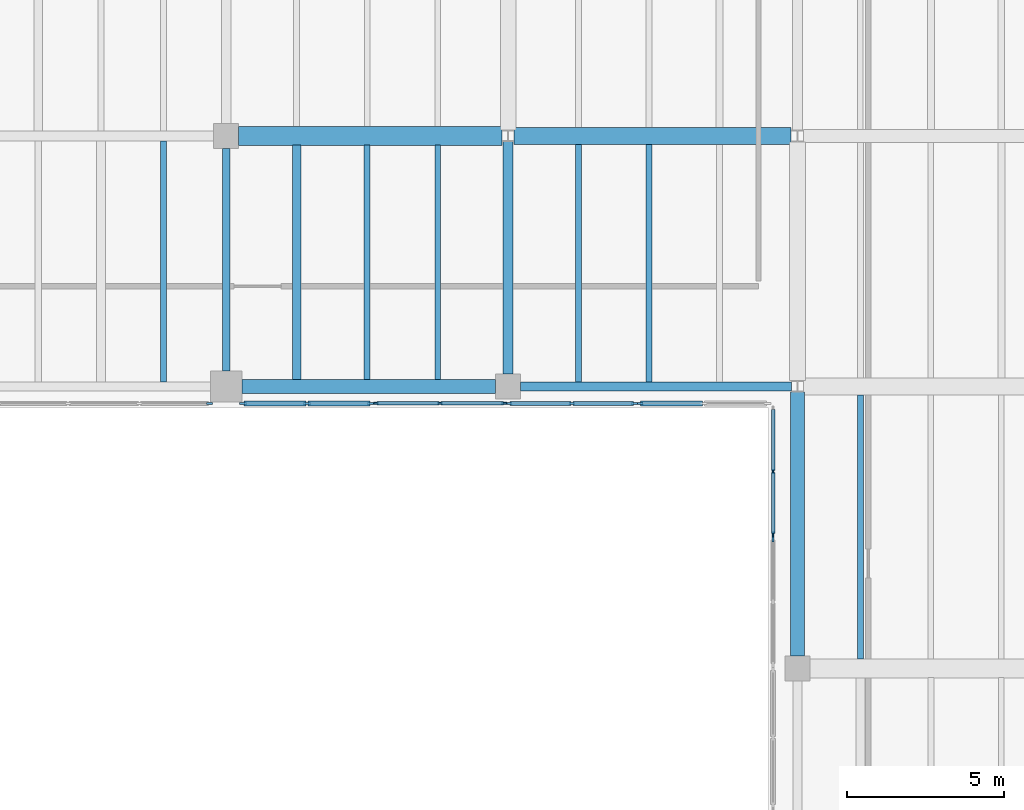
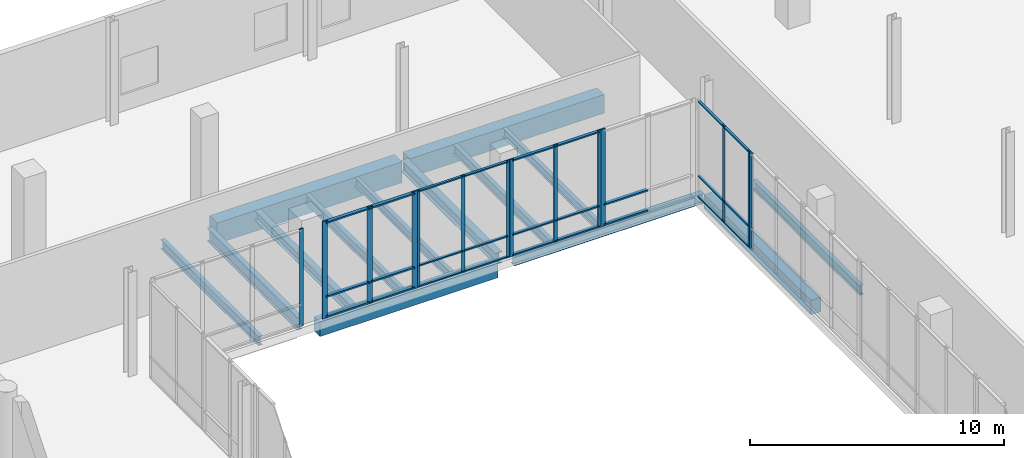
# One storey, part 57 of 88: 40 members, 14 beams, 7 elements without a shape of their own.
"""IFC4 building model written with IfcOpenShell, lengths in metres."""

from ifc_helpers import new_model, si_unit, direction, frame, origin, origin_2d, place, context, subcontext, project, spatial, rectangle, i_section, extrude, material, material_profile, profile_set, type_object, element, aggregate, save


model = new_model("IFC4")

# Units and contexts
model_context = context("Model", 3, precision=1e-05, world=origin(), true_north=direction((0.0, 1.0)))
body_context = subcontext(model_context, "Body", "Model", "MODEL_VIEW")
ifc_project = project(units=[si_unit("LENGTHUNIT", "METRE"), si_unit("AREAUNIT", "SQUARE_METRE"), si_unit("VOLUMEUNIT", "CUBIC_METRE"), si_unit("PLANEANGLEUNIT", "RADIAN"), si_unit("MASSUNIT", "GRAM", prefix="KILO")], contexts=[model_context])

# Site, building, storey
site_placement = place(None, origin())
site = spatial("IfcSite", under=ifc_project, at=site_placement, CompositionType="ELEMENT")
building_placement = place(site_placement, origin())
building = spatial("IfcBuilding", under=site, at=building_placement, Name="Trimount Lyric Opera House", CompositionType="ELEMENT")
storey_placement = place(building_placement, origin())
storey = spatial("IfcBuildingStorey", under=building, at=storey_placement, Name="L00", CompositionType="ELEMENT", Elevation=0.0)

# Beams
ifc_material_1 = material(Name="Steel ASTM A992 Grade 50", Category="steel")
ifc_material_profile_1 = material_profile(ifc_material_1, i_section(OverallWidth=0.22998046875, OverallDepth=0.616943359375, WebThickness=0.01318359375, FlangeThickness=0.022216796875, FilletRadius=0.013916015625, at=origin_2d()), Name="W24X94")
ifc_profile_set_1 = profile_set([ifc_material_profile_1], Name="Steel ASTM A992 Grade 50")
beam_type_1 = type_object("IfcBeamType", Name="B-11", PredefinedType="BEAM", material=ifc_profile_set_1)
beam_1_placement = place(storey_placement, frame((130.0, 102.5, -0.6884765625), z_axis=(0.0, 1.0, 0.0), x_axis=(-1.0, 0.0, 0.0)))
element("IfcBeam", 1, at=beam_1_placement, inside=storey, type_object=beam_type_1, Name="L00 girder Y-0402", PredefinedType="BEAM", context=body_context, shape_type="SweptSolid", body=[
    extrude(i_section(OverallWidth=0.22998046875, OverallDepth=0.616943359375, WebThickness=0.01318359375, FlangeThickness=0.022216796875, FilletRadius=0.013916015625, at=origin_2d()), origin(), (0.0, 0.0, 1.0), 7.10009765625),
])
ifc_material_2 = material(Name="Steel ASTM A992 Grade 50", Category="steel")
ifc_material_profile_2 = material_profile(ifc_material_2, i_section(OverallWidth=0.31201171875, OverallDepth=0.5458984375, WebThickness=0.013916015625, FlangeThickness=0.022216796875, FilletRadius=0.014892578125, at=origin_2d()), Name="W21X111")
ifc_profile_set_2 = profile_set([ifc_material_profile_2], Name="Steel ASTM A992 Grade 50")
beam_type_2 = type_object("IfcBeamType", Name="B-12", PredefinedType="BEAM", material=ifc_profile_set_2)
beam_2_placement = place(storey_placement, frame((139.0, 102.39990234375, -0.653076171875), z_axis=(0.0, 1.0, 0.0), x_axis=(-1.0, 0.0, 0.0)))
element("IfcBeam", 2, at=beam_2_placement, inside=storey, type_object=beam_type_2, Name="L00 girder Y-0412", PredefinedType="BEAM", context=body_context, shape_type="SweptSolid", body=[
    extrude(i_section(OverallWidth=0.31201171875, OverallDepth=0.5458984375, WebThickness=0.013916015625, FlangeThickness=0.022216796875, FilletRadius=0.014892578125, at=origin_2d()), origin(), (0.0, 0.0, 1.0), 7.416015625),
])
ifc_material_3 = material(Name="Concrete C40/50", Category="concrete")
ifc_material_profile_3 = material_profile(ifc_material_3, rectangle(XDim=0.60009765625, YDim=1.0, at=origin_2d()), Name="RC600X1000")
ifc_profile_set_3 = profile_set([ifc_material_profile_3], Name="Concrete C40/50")
beam_type_3 = type_object("IfcBeamType", Name="B-13", PredefinedType="BEAM", material=ifc_profile_set_3)
beam_3_placement = place(storey_placement, frame((130.39990234375, 110.0, -0.8798828125), z_axis=(1.0, 0.0, 0.0), x_axis=(0.0, 1.0, 0.0)))
element("IfcBeam", 3, at=beam_3_placement, inside=storey, type_object=beam_type_3, Name="L00 girder X-0213", PredefinedType="BEAM", context=body_context, shape_type="SweptSolid", body=[
    extrude(rectangle(XDim=0.60009765625, YDim=1.0, at=origin_2d()), origin(), (0.0, 0.0, 1.0), 8.41357421875),
])
ifc_material_4 = material(Name="Concrete C40/50", Category="concrete")
ifc_material_profile_4 = material_profile(ifc_material_4, rectangle(XDim=0.550048828125, YDim=0.89990234375, at=origin_2d()), Name="RC550X900")
ifc_profile_set_4 = profile_set([ifc_material_profile_4], Name="Concrete C40/50")
beam_type_4 = type_object("IfcBeamType", Name="B-14", PredefinedType="BEAM", material=ifc_profile_set_4)
beam_4_placement = place(storey_placement, frame((139.1865234375, 110.0, -0.830078125), z_axis=(1.0, 0.0, 0.0), x_axis=(0.0, 1.0, 0.0)))
element("IfcBeam", 4, at=beam_4_placement, inside=storey, type_object=beam_type_4, Name="L00 girder X-0214", PredefinedType="BEAM", context=body_context, shape_type="SweptSolid", body=[
    extrude(rectangle(XDim=0.550048828125, YDim=0.89990234375, at=origin_2d()), origin(), (0.0, 0.0, 1.0), 8.85400390625),
])
ifc_material_5 = material(Name="Steel ASTM A992 Grade 50", Category="steel")
ifc_material_profile_5 = material_profile(ifc_material_5, i_section(OverallWidth=0.281982421875, OverallDepth=0.467041015625, WebThickness=0.01220703125, FlangeThickness=0.01953125, FilletRadius=0.012939453125, at=origin_2d()), Name="W18X86")
ifc_profile_set_5 = profile_set([ifc_material_profile_5], Name="Steel ASTM A992 Grade 50")
beam_type_5 = type_object("IfcBeamType", Name="J-03", PredefinedType="BEAM", material=ifc_profile_set_5)
beam_5_placement = place(storey_placement, frame((132.25, 102.220947265625, -0.613525390625), z_axis=(0.0, 1.0, 0.0), x_axis=(-1.0, 0.0, 0.0)))
element("IfcBeam", 5, at=beam_5_placement, inside=storey, type_object=beam_type_5, Name="L00 composite floor joist 0423", PredefinedType="BEAM", context=body_context, shape_type="SweptSolid", body=[
    extrude(i_section(OverallWidth=0.281982421875, OverallDepth=0.467041015625, WebThickness=0.01220703125, FlangeThickness=0.01953125, FilletRadius=0.012939453125, at=origin_2d()), origin(), (0.0, 0.0, 1.0), 7.483154296875),
])
ifc_material_6 = material(Name="Steel ASTM A992 Grade 50", Category="steel")
ifc_material_profile_6 = material_profile(ifc_material_6, i_section(OverallWidth=0.19091796875, OverallDepth=0.45703125, WebThickness=0.009033203125, FlangeThickness=0.014404296875, FilletRadius=0.010986328125, at=origin_2d()), Name="W18X50")
ifc_profile_set_6 = profile_set([ifc_material_profile_6], Name="Steel ASTM A992 Grade 50")
beam_type_6 = type_object("IfcBeamType", Name="J-04", PredefinedType="BEAM", material=ifc_profile_set_6)
beam_6_placement = place(storey_placement, frame((128.0, 102.136962890625, -0.6083984375), z_axis=(0.0, 1.0, 0.0), x_axis=(-1.0, 0.0, 0.0)))
element("IfcBeam", 6, at=beam_6_placement, inside=storey, type_object=beam_type_6, Name="L00 composite floor joist 0395", PredefinedType="BEAM", context=body_context, shape_type="SweptSolid", body=[
    extrude(i_section(OverallWidth=0.19091796875, OverallDepth=0.45703125, WebThickness=0.009033203125, FlangeThickness=0.014404296875, FilletRadius=0.010986328125, at=origin_2d()), origin(), (0.0, 0.0, 1.0), 7.703125),
])
beam_7_placement = place(storey_placement, frame((134.5, 102.220947265625, -0.6083984375), z_axis=(0.0, 1.0, 0.0), x_axis=(-1.0, 0.0, 0.0)))
element("IfcBeam", 7, at=beam_7_placement, inside=storey, type_object=beam_type_6, Name="L00 composite floor joist 0424", PredefinedType="BEAM", context=body_context, shape_type="SweptSolid", body=[
    extrude(i_section(OverallWidth=0.19091796875, OverallDepth=0.45703125, WebThickness=0.009033203125, FlangeThickness=0.014404296875, FilletRadius=0.010986328125, at=origin_2d()), origin(), (0.0, 0.0, 1.0), 7.483154296875),
])
beam_8_placement = place(storey_placement, frame((141.25, 102.136962890625, -0.6083984375), z_axis=(0.0, 1.0, 0.0), x_axis=(-1.0, 0.0, 0.0)))
element("IfcBeam", 8, at=beam_8_placement, inside=storey, type_object=beam_type_6, Name="L00 composite floor joist 0452", PredefinedType="BEAM", context=body_context, shape_type="SweptSolid", body=[
    extrude(i_section(OverallWidth=0.19091796875, OverallDepth=0.45703125, WebThickness=0.009033203125, FlangeThickness=0.014404296875, FilletRadius=0.010986328125, at=origin_2d()), origin(), (0.0, 0.0, 1.0), 7.592041015625),
])
beam_9_placement = place(storey_placement, frame((150.25, 93.2958984375, -0.6083984375), z_axis=(0.0, 1.0, 0.0), x_axis=(-1.0, 0.0, 0.0)))
element("IfcBeam", 9, at=beam_9_placement, inside=storey, type_object=beam_type_6, Name="L00 composite floor joist 0485", PredefinedType="BEAM", context=body_context, shape_type="SweptSolid", body=[
    extrude(i_section(OverallWidth=0.19091796875, OverallDepth=0.45703125, WebThickness=0.009033203125, FlangeThickness=0.014404296875, FilletRadius=0.010986328125, at=origin_2d()), origin(), (0.0, 0.0, 1.0), 8.43310546875),
])
ifc_material_7 = material(Name="Steel ASTM A992 Grade 50", Category="steel")
ifc_material_profile_7 = material_profile(ifc_material_7, i_section(OverallWidth=0.180908203125, OverallDepth=0.4169921875, WebThickness=0.010986328125, FlangeThickness=0.018310546875, FilletRadius=0.010986328125, at=origin_2d()), Name="W16X57")
ifc_profile_set_7 = profile_set([ifc_material_profile_7], Name="Steel ASTM A992 Grade 50")
beam_type_7 = type_object("IfcBeamType", Name="J-05", PredefinedType="BEAM", material=ifc_profile_set_7)
beam_10_placement = place(storey_placement, frame((136.75, 102.220947265625, -0.58837890625), z_axis=(0.0, 1.0, 0.0), x_axis=(-1.0, 0.0, 0.0)))
element("IfcBeam", 10, at=beam_10_placement, inside=storey, type_object=beam_type_7, Name="L00 composite floor joist 0425", PredefinedType="BEAM", context=body_context, shape_type="SweptSolid", body=[
    extrude(i_section(OverallWidth=0.180908203125, OverallDepth=0.4169921875, WebThickness=0.010986328125, FlangeThickness=0.018310546875, FilletRadius=0.010986328125, at=origin_2d()), origin(), (0.0, 0.0, 1.0), 7.483154296875),
])
beam_11_placement = place(storey_placement, frame((143.5, 102.136962890625, -0.58837890625), z_axis=(0.0, 1.0, 0.0), x_axis=(-1.0, 0.0, 0.0)))
element("IfcBeam", 11, at=beam_11_placement, inside=storey, type_object=beam_type_7, Name="L00 composite floor joist 0453", PredefinedType="BEAM", context=body_context, shape_type="SweptSolid", body=[
    extrude(i_section(OverallWidth=0.180908203125, OverallDepth=0.4169921875, WebThickness=0.010986328125, FlangeThickness=0.018310546875, FilletRadius=0.010986328125, at=origin_2d()), origin(), (0.0, 0.0, 1.0), 7.592041015625),
])

# Curtain wall, member
ifc_material_8 = material(Name="Thermally Broken Aluminium and Low-E Glass", Category="aluminium")
curtain_wall_type = type_object("IfcCurtainWallType", Name="CW-03", PredefinedType="NOTDEFINED", material=ifc_material_8)
curtain_wall_1_placement = place(storey_placement, origin())
curtain_wall_1 = element("IfcCurtainWall", 12, at=curtain_wall_1_placement, inside=storey, type_object=curtain_wall_type, Name="L00 curtain wall 048", PredefinedType="NOTDEFINED")
ifc_material_9 = material(Name="Anodised Aluminium 6063-T6", Category="aluminium")
ifc_material_profile_8 = material_profile(ifc_material_9, rectangle(XDim=0.070068359375, YDim=0.219970703125, at=origin_2d()), Name="ALU-MULL-70X220")
ifc_profile_set_8 = profile_set([ifc_material_profile_8], Name="Anodised Aluminium 6063-T6")
member_type_1 = type_object("IfcMemberType", Name="ML-01", PredefinedType="MULLION", material=ifc_profile_set_8)
member_1_placement = place(storey_placement, frame((143.195068359375, 101.4599609375, 0.0), z_axis=(0.0, 0.0, 1.0), x_axis=(0.0, -1.0, 0.0)))
member_1 = element("IfcMember", 13, at=member_1_placement, type_object=member_type_1, Name="CW-03 mullion 3", PredefinedType="MULLION", context=body_context, shape_type="SweptSolid", body=[
    extrude(rectangle(XDim=0.070068359375, YDim=0.219970703125, at=origin_2d()), origin(), (0.0, 0.0, 1.0), 4.68994140625),
])

# Curtain wall, members
curtain_wall_2_placement = place(storey_placement, origin())
curtain_wall_2 = element("IfcCurtainWall", 14, at=curtain_wall_2_placement, inside=storey, type_object=curtain_wall_type, Name="L00 curtain wall 051", PredefinedType="NOTDEFINED")
member_2_placement = place(storey_placement, frame((134.625, 101.4599609375, 0.0), z_axis=(0.0, 0.0, 1.0), x_axis=(0.0, -1.0, 0.0)))
member_2 = element("IfcMember", 15, at=member_2_placement, type_object=member_type_1, Name="CW-03 mullion 1", PredefinedType="MULLION", context=body_context, shape_type="SweptSolid", body=[
    extrude(rectangle(XDim=0.070068359375, YDim=0.219970703125, at=origin_2d()), origin(), (0.0, 0.0, 1.0), 4.68994140625),
])
member_3_placement = place(storey_placement, frame((132.580078125, 101.4599609375, 0.0), z_axis=(0.0, 0.0, 1.0), x_axis=(0.0, -1.0, 0.0)))
member_3 = element("IfcMember", 16, at=member_3_placement, type_object=member_type_1, Name="CW-03 mullion 2", PredefinedType="MULLION", context=body_context, shape_type="SweptSolid", body=[
    extrude(rectangle(XDim=0.070068359375, YDim=0.219970703125, at=origin_2d()), origin(), (0.0, 0.0, 1.0), 4.68994140625),
])
member_4_placement = place(storey_placement, frame((130.534912109375, 101.4599609375, 0.0), z_axis=(0.0, 0.0, 1.0), x_axis=(0.0, -1.0, 0.0)))
member_4 = element("IfcMember", 17, at=member_4_placement, type_object=member_type_1, Name="CW-03 mullion 3", PredefinedType="MULLION", context=body_context, shape_type="SweptSolid", body=[
    extrude(rectangle(XDim=0.070068359375, YDim=0.219970703125, at=origin_2d()), origin(), (0.0, 0.0, 1.0), 4.68994140625),
])

# Curtain wall, member
curtain_wall_3_placement = place(storey_placement, origin())
curtain_wall_3 = element("IfcCurtainWall", 18, at=curtain_wall_3_placement, inside=storey, type_object=curtain_wall_type, Name="L00 curtain wall 046", PredefinedType="NOTDEFINED")
ifc_material_10 = material(Name="Anodised Aluminium 6063-T6", Category="aluminium")
ifc_material_profile_9 = material_profile(ifc_material_10, rectangle(XDim=0.06494140625, YDim=0.179931640625, at=origin_2d()), Name="ALU-MULL-65X180")
ifc_profile_set_9 = profile_set([ifc_material_profile_9], Name="Anodised Aluminium 6063-T6")
member_type_2 = type_object("IfcMemberType", Name="ML-02", PredefinedType="MULLION", material=ifc_profile_set_9)
member_5_placement = place(storey_placement, frame((147.4599609375, 97.12744140625, 0.0), z_axis=(0.0, 0.0, 1.0), x_axis=(-1.0, 0.0, 0.0)))
member_5 = element("IfcMember", 19, at=member_5_placement, type_object=member_type_2, Name="CW-03 mullion 3", PredefinedType="MULLION", context=body_context, shape_type="SweptSolid", body=[
    extrude(rectangle(XDim=0.06494140625, YDim=0.179931640625, at=origin_2d()), origin(), (0.0, 0.0, 1.0), 4.68994140625),
])
aggregate(curtain_wall_3, [member_5])

# Curtain wall, members
curtain_wall_4_placement = place(storey_placement, origin())
curtain_wall_4 = element("IfcCurtainWall", 20, at=curtain_wall_4_placement, inside=storey, type_object=curtain_wall_type, Name="L00 curtain wall 049", PredefinedType="NOTDEFINED")
member_6_placement = place(storey_placement, frame((143.03759765625, 101.4599609375, 0.0), z_axis=(0.0, 0.0, 1.0), x_axis=(0.0, -1.0, 0.0)))
member_6 = element("IfcMember", 21, at=member_6_placement, type_object=member_type_2, Name="CW-03 mullion 1", PredefinedType="MULLION", context=body_context, shape_type="SweptSolid", body=[
    extrude(rectangle(XDim=0.06494140625, YDim=0.179931640625, at=origin_2d()), origin(), (0.0, 0.0, 1.0), 4.68994140625),
])
member_7_placement = place(storey_placement, frame((141.034912109375, 101.4599609375, 0.0), z_axis=(0.0, 0.0, 1.0), x_axis=(0.0, -1.0, 0.0)))
member_7 = element("IfcMember", 22, at=member_7_placement, type_object=member_type_2, Name="CW-03 mullion 2", PredefinedType="MULLION", context=body_context, shape_type="SweptSolid", body=[
    extrude(rectangle(XDim=0.06494140625, YDim=0.179931640625, at=origin_2d()), origin(), (0.0, 0.0, 1.0), 4.68994140625),
])
member_8_placement = place(storey_placement, frame((139.032470703125, 101.4599609375, 0.0), z_axis=(0.0, 0.0, 1.0), x_axis=(0.0, -1.0, 0.0)))
member_8 = element("IfcMember", 23, at=member_8_placement, type_object=member_type_2, Name="CW-03 mullion 3", PredefinedType="MULLION", context=body_context, shape_type="SweptSolid", body=[
    extrude(rectangle(XDim=0.06494140625, YDim=0.179931640625, at=origin_2d()), origin(), (0.0, 0.0, 1.0), 4.68994140625),
])

# Curtain wall, member
curtain_wall_5_placement = place(storey_placement, origin())
curtain_wall_5 = element("IfcCurtainWall", 24, at=curtain_wall_5_placement, inside=storey, type_object=curtain_wall_type, Name="L00 curtain wall 052", PredefinedType="NOTDEFINED")
member_9_placement = place(storey_placement, frame((129.467529296875, 101.4599609375, 0.0), z_axis=(0.0, 0.0, 1.0), x_axis=(0.0, -1.0, 0.0)))
member_9 = element("IfcMember", 25, at=member_9_placement, type_object=member_type_2, Name="CW-03 mullion 1", PredefinedType="MULLION", context=body_context, shape_type="SweptSolid", body=[
    extrude(rectangle(XDim=0.06494140625, YDim=0.179931640625, at=origin_2d()), origin(), (0.0, 0.0, 1.0), 4.68994140625),
])
aggregate(curtain_wall_5, [member_9])

# Curtain wall, members
curtain_wall_6_placement = place(storey_placement, origin())
curtain_wall_6 = element("IfcCurtainWall", 26, at=curtain_wall_6_placement, inside=storey, type_object=curtain_wall_type, Name="L00 curtain wall 047", PredefinedType="NOTDEFINED")
ifc_material_11 = material(Name="Anodised Aluminium 6063-T6", Category="aluminium")
ifc_material_profile_10 = material_profile(ifc_material_11, rectangle(XDim=0.06005859375, YDim=0.14990234375, at=origin_2d()), Name="ALU-MULL-60X150")
ifc_profile_set_10 = profile_set([ifc_material_profile_10], Name="Anodised Aluminium 6063-T6")
member_type_3 = type_object("IfcMemberType", Name="ML-03", PredefinedType="MULLION", material=ifc_profile_set_10)
member_10_placement = place(storey_placement, frame((147.4599609375, 97.280029296875, 0.0), z_axis=(0.0, 0.0, 1.0), x_axis=(-1.0, 0.0, 0.0)))
member_10 = element("IfcMember", 27, at=member_10_placement, type_object=member_type_3, Name="CW-03 mullion 1", PredefinedType="MULLION", context=body_context, shape_type="SweptSolid", body=[
    extrude(rectangle(XDim=0.06005859375, YDim=0.14990234375, at=origin_2d()), origin(), (0.0, 0.0, 1.0), 4.68994140625),
])
member_11_placement = place(storey_placement, frame((147.4599609375, 99.284912109375, 0.0), z_axis=(0.0, 0.0, 1.0), x_axis=(-1.0, 0.0, 0.0)))
member_11 = element("IfcMember", 28, at=member_11_placement, type_object=member_type_3, Name="CW-03 mullion 2", PredefinedType="MULLION", context=body_context, shape_type="SweptSolid", body=[
    extrude(rectangle(XDim=0.06005859375, YDim=0.14990234375, at=origin_2d()), origin(), (0.0, 0.0, 1.0), 4.68994140625),
])

curtain_wall_7_placement = place(storey_placement, origin())
curtain_wall_7 = element("IfcCurtainWall", 29, at=curtain_wall_7_placement, inside=storey, type_object=curtain_wall_type, Name="L00 curtain wall 050", PredefinedType="NOTDEFINED")
member_12_placement = place(storey_placement, frame((138.8798828125, 101.4599609375, 0.0), z_axis=(0.0, 0.0, 1.0), x_axis=(0.0, -1.0, 0.0)))
member_12 = element("IfcMember", 30, at=member_12_placement, type_object=member_type_3, Name="CW-03 mullion 1", PredefinedType="MULLION", context=body_context, shape_type="SweptSolid", body=[
    extrude(rectangle(XDim=0.06005859375, YDim=0.14990234375, at=origin_2d()), origin(), (0.0, 0.0, 1.0), 4.68994140625),
])
member_13_placement = place(storey_placement, frame((136.830078125, 101.4599609375, 0.0), z_axis=(0.0, 0.0, 1.0), x_axis=(0.0, -1.0, 0.0)))
member_13 = element("IfcMember", 31, at=member_13_placement, type_object=member_type_3, Name="CW-03 mullion 2", PredefinedType="MULLION", context=body_context, shape_type="SweptSolid", body=[
    extrude(rectangle(XDim=0.06005859375, YDim=0.14990234375, at=origin_2d()), origin(), (0.0, 0.0, 1.0), 4.68994140625),
])
member_14_placement = place(storey_placement, frame((134.780029296875, 101.4599609375, 0.0), z_axis=(0.0, 0.0, 1.0), x_axis=(0.0, -1.0, 0.0)))
member_14 = element("IfcMember", 32, at=member_14_placement, type_object=member_type_3, Name="CW-03 mullion 3", PredefinedType="MULLION", context=body_context, shape_type="SweptSolid", body=[
    extrude(rectangle(XDim=0.06005859375, YDim=0.14990234375, at=origin_2d()), origin(), (0.0, 0.0, 1.0), 4.68994140625),
])

# Beams
ifc_material_12 = material(Name="Steel ASTM A992 Grade 50", Category="steel")
ifc_material_profile_11 = material_profile(ifc_material_12, i_section(OverallWidth=0.281982421875, OverallDepth=0.467041015625, WebThickness=0.01220703125, FlangeThickness=0.01953125, FilletRadius=0.012939453125, at=origin_2d()), Name="W18X86")
ifc_profile_set_11 = profile_set([ifc_material_profile_11], Name="Steel ASTM A992 Grade 50")
beam_type_8 = type_object("IfcBeamType", Name="SP-01", PredefinedType="SPANDREL", material=ifc_profile_set_11)
beam_12_placement = place(storey_placement, frame((139.39990234375, 102.0, -0.613525390625), z_axis=(1.0, 0.0, 0.0), x_axis=(0.0, 1.0, 0.0)))
element("IfcBeam", 33, at=beam_12_placement, inside=storey, type_object=beam_type_8, Name="L00 girder X-0201", PredefinedType="SPANDREL", context=body_context, shape_type="SweptSolid", body=[
    extrude(i_section(OverallWidth=0.281982421875, OverallDepth=0.467041015625, WebThickness=0.01220703125, FlangeThickness=0.01953125, FilletRadius=0.012939453125, at=origin_2d()), origin(), (0.0, 0.0, 1.0), 8.653564453125),
])
ifc_material_13 = material(Name="Concrete C40/50", Category="concrete")
ifc_material_profile_12 = material_profile(ifc_material_13, rectangle(XDim=0.449951171875, YDim=0.699951171875, at=origin_2d()), Name="RC450X700")
ifc_profile_set_12 = profile_set([ifc_material_profile_12], Name="Concrete C40/50")
beam_type_9 = type_object("IfcBeamType", Name="SP-02", PredefinedType="SPANDREL", material=ifc_profile_set_12)
beam_13_placement = place(storey_placement, frame((130.5, 102.0, -0.72998046875), z_axis=(1.0, 0.0, 0.0), x_axis=(0.0, 1.0, 0.0)))
element("IfcBeam", 34, at=beam_13_placement, inside=storey, type_object=beam_type_9, Name="L00 girder X-0200", PredefinedType="SPANDREL", context=body_context, shape_type="SweptSolid", body=[
    extrude(rectangle(XDim=0.449951171875, YDim=0.699951171875, at=origin_2d()), origin(), (0.0, 0.0, 1.0), 8.10009765625),
])
beam_14_placement = place(storey_placement, frame((148.239990234375, 93.39990234375, -0.72998046875), z_axis=(0.0, 1.0, 0.0), x_axis=(-1.0, 0.0, 0.0)))
element("IfcBeam", 35, at=beam_14_placement, inside=storey, type_object=beam_type_9, Name="L00 girder Y-0424", PredefinedType="SPANDREL", context=body_context, shape_type="SweptSolid", body=[
    extrude(rectangle(XDim=0.449951171875, YDim=0.699951171875, at=origin_2d()), origin(), (0.0, 0.0, 1.0), 8.416015625),
])

# Member
ifc_material_14 = material(Name="Anodised Aluminium 6063-T6", Category="aluminium")
ifc_material_profile_13 = material_profile(ifc_material_14, rectangle(XDim=0.159912109375, YDim=0.070068359375, at=origin_2d()), Name="ALU-TRAN-70X160")
ifc_profile_set_13 = profile_set([ifc_material_profile_13], Name="Anodised Aluminium 6063-T6")
member_type_4 = type_object("IfcMemberType", Name="TR-01", PredefinedType="USERDEFINED", material=ifc_profile_set_13)
member_15_placement = place(storey_placement, frame((145.205078125, 101.4599609375, 0.080078125), z_axis=(-1.0, 0.0, 0.0), x_axis=(0.0, -1.0, 0.0)))
member_15 = element("IfcMember", 36, at=member_15_placement, type_object=member_type_4, Name="CW-03 transom 2.1", ObjectType="TRANSOM", PredefinedType="USERDEFINED", context=body_context, shape_type="SweptSolid", body=[
    extrude(rectangle(XDim=0.159912109375, YDim=0.070068359375, at=origin_2d()), origin(), (0.0, 0.0, 1.0), 1.97509765625),
])

member_16_placement = place(storey_placement, frame((145.205078125, 101.4599609375, 1.050048828125), z_axis=(-1.0, 0.0, 0.0), x_axis=(0.0, -1.0, 0.0)))
member_16 = element("IfcMember", 37, at=member_16_placement, type_object=member_type_4, Name="CW-03 transom 2.2", ObjectType="TRANSOM", PredefinedType="USERDEFINED", context=body_context, shape_type="SweptSolid", body=[
    extrude(rectangle(XDim=0.159912109375, YDim=0.070068359375, at=origin_2d()), origin(), (0.0, 0.0, 1.0), 1.97509765625),
])

aggregate(curtain_wall_1, [member_1, member_15, member_16])

member_17_placement = place(storey_placement, frame((134.590087890625, 101.4599609375, 0.080078125), z_axis=(-1.0, 0.0, 0.0), x_axis=(0.0, -1.0, 0.0)))
member_17 = element("IfcMember", 38, at=member_17_placement, type_object=member_type_4, Name="CW-03 transom 1.1", ObjectType="TRANSOM", PredefinedType="USERDEFINED", context=body_context, shape_type="SweptSolid", body=[
    extrude(rectangle(XDim=0.159912109375, YDim=0.070068359375, at=origin_2d()), origin(), (0.0, 0.0, 1.0), 1.97509765625),
])

member_18_placement = place(storey_placement, frame((134.590087890625, 101.4599609375, 1.050048828125), z_axis=(-1.0, 0.0, 0.0), x_axis=(0.0, -1.0, 0.0)))
member_18 = element("IfcMember", 39, at=member_18_placement, type_object=member_type_4, Name="CW-03 transom 1.2", ObjectType="TRANSOM", PredefinedType="USERDEFINED", context=body_context, shape_type="SweptSolid", body=[
    extrude(rectangle(XDim=0.159912109375, YDim=0.070068359375, at=origin_2d()), origin(), (0.0, 0.0, 1.0), 1.97509765625),
])

member_19_placement = place(storey_placement, frame((134.590087890625, 101.4599609375, 4.610107421875), z_axis=(-1.0, 0.0, 0.0), x_axis=(0.0, -1.0, 0.0)))
member_19 = element("IfcMember", 40, at=member_19_placement, type_object=member_type_4, Name="CW-03 transom 1.3", ObjectType="TRANSOM", PredefinedType="USERDEFINED", context=body_context, shape_type="SweptSolid", body=[
    extrude(rectangle(XDim=0.159912109375, YDim=0.070068359375, at=origin_2d()), origin(), (0.0, 0.0, 1.0), 1.97509765625),
])

member_20_placement = place(storey_placement, frame((132.544921875, 101.4599609375, 0.080078125), z_axis=(-1.0, 0.0, 0.0), x_axis=(0.0, -1.0, 0.0)))
member_20 = element("IfcMember", 41, at=member_20_placement, type_object=member_type_4, Name="CW-03 transom 2.1", ObjectType="TRANSOM", PredefinedType="USERDEFINED", context=body_context, shape_type="SweptSolid", body=[
    extrude(rectangle(XDim=0.159912109375, YDim=0.070068359375, at=origin_2d()), origin(), (0.0, 0.0, 1.0), 1.974853515625),
])

member_21_placement = place(storey_placement, frame((132.544921875, 101.4599609375, 1.050048828125), z_axis=(-1.0, 0.0, 0.0), x_axis=(0.0, -1.0, 0.0)))
member_21 = element("IfcMember", 42, at=member_21_placement, type_object=member_type_4, Name="CW-03 transom 2.2", ObjectType="TRANSOM", PredefinedType="USERDEFINED", context=body_context, shape_type="SweptSolid", body=[
    extrude(rectangle(XDim=0.159912109375, YDim=0.070068359375, at=origin_2d()), origin(), (0.0, 0.0, 1.0), 1.974853515625),
])

member_22_placement = place(storey_placement, frame((132.544921875, 101.4599609375, 4.610107421875), z_axis=(-1.0, 0.0, 0.0), x_axis=(0.0, -1.0, 0.0)))
member_22 = element("IfcMember", 43, at=member_22_placement, type_object=member_type_4, Name="CW-03 transom 2.3", ObjectType="TRANSOM", PredefinedType="USERDEFINED", context=body_context, shape_type="SweptSolid", body=[
    extrude(rectangle(XDim=0.159912109375, YDim=0.070068359375, at=origin_2d()), origin(), (0.0, 0.0, 1.0), 1.974853515625),
])

aggregate(curtain_wall_2, [member_2, member_3, member_4, member_17, member_18, member_19, member_20, member_21, member_22])

ifc_material_15 = material(Name="Anodised Aluminium 6063-T6", Category="aluminium")
ifc_material_profile_14 = material_profile(ifc_material_15, rectangle(XDim=0.135009765625, YDim=0.06494140625, at=origin_2d()), Name="ALU-TRAN-65X135")
ifc_profile_set_14 = profile_set([ifc_material_profile_14], Name="Anodised Aluminium 6063-T6")
member_type_5 = type_object("IfcMemberType", Name="TR-02", PredefinedType="USERDEFINED", material=ifc_profile_set_14)
member_23_placement = place(storey_placement, frame((143.0048828125, 101.4599609375, 0.0673828125), z_axis=(-1.0, 0.0, 0.0), x_axis=(0.0, -1.0, 0.0)))
member_23 = element("IfcMember", 44, at=member_23_placement, type_object=member_type_5, Name="CW-03 transom 1.1", ObjectType="TRANSOM", PredefinedType="USERDEFINED", context=body_context, shape_type="SweptSolid", body=[
    extrude(rectangle(XDim=0.135009765625, YDim=0.06494140625, at=origin_2d()), origin(), (0.0, 0.0, 1.0), 1.9375),
])

member_24_placement = place(storey_placement, frame((143.0048828125, 101.4599609375, 1.050048828125), z_axis=(-1.0, 0.0, 0.0), x_axis=(0.0, -1.0, 0.0)))
member_24 = element("IfcMember", 45, at=member_24_placement, type_object=member_type_5, Name="CW-03 transom 1.2", ObjectType="TRANSOM", PredefinedType="USERDEFINED", context=body_context, shape_type="SweptSolid", body=[
    extrude(rectangle(XDim=0.135009765625, YDim=0.06494140625, at=origin_2d()), origin(), (0.0, 0.0, 1.0), 1.9375),
])

member_25_placement = place(storey_placement, frame((143.0048828125, 101.4599609375, 4.62255859375), z_axis=(-1.0, 0.0, 0.0), x_axis=(0.0, -1.0, 0.0)))
member_25 = element("IfcMember", 46, at=member_25_placement, type_object=member_type_5, Name="CW-03 transom 1.3", ObjectType="TRANSOM", PredefinedType="USERDEFINED", context=body_context, shape_type="SweptSolid", body=[
    extrude(rectangle(XDim=0.135009765625, YDim=0.06494140625, at=origin_2d()), origin(), (0.0, 0.0, 1.0), 1.9375),
])

member_26_placement = place(storey_placement, frame((141.00244140625, 101.4599609375, 0.0673828125), z_axis=(-1.0, 0.0, 0.0), x_axis=(0.0, -1.0, 0.0)))
member_26 = element("IfcMember", 47, at=member_26_placement, type_object=member_type_5, Name="CW-03 transom 2.1", ObjectType="TRANSOM", PredefinedType="USERDEFINED", context=body_context, shape_type="SweptSolid", body=[
    extrude(rectangle(XDim=0.135009765625, YDim=0.06494140625, at=origin_2d()), origin(), (0.0, 0.0, 1.0), 1.9375),
])

member_27_placement = place(storey_placement, frame((141.00244140625, 101.4599609375, 1.050048828125), z_axis=(-1.0, 0.0, 0.0), x_axis=(0.0, -1.0, 0.0)))
member_27 = element("IfcMember", 48, at=member_27_placement, type_object=member_type_5, Name="CW-03 transom 2.2", ObjectType="TRANSOM", PredefinedType="USERDEFINED", context=body_context, shape_type="SweptSolid", body=[
    extrude(rectangle(XDim=0.135009765625, YDim=0.06494140625, at=origin_2d()), origin(), (0.0, 0.0, 1.0), 1.9375),
])

member_28_placement = place(storey_placement, frame((141.00244140625, 101.4599609375, 4.62255859375), z_axis=(-1.0, 0.0, 0.0), x_axis=(0.0, -1.0, 0.0)))
member_28 = element("IfcMember", 49, at=member_28_placement, type_object=member_type_5, Name="CW-03 transom 2.3", ObjectType="TRANSOM", PredefinedType="USERDEFINED", context=body_context, shape_type="SweptSolid", body=[
    extrude(rectangle(XDim=0.135009765625, YDim=0.06494140625, at=origin_2d()), origin(), (0.0, 0.0, 1.0), 1.9375),
])

aggregate(curtain_wall_4, [member_6, member_7, member_8, member_23, member_24, member_25, member_26, member_27, member_28])

ifc_material_16 = material(Name="Anodised Aluminium 6063-T6", Category="aluminium")
ifc_material_profile_15 = material_profile(ifc_material_16, rectangle(XDim=0.114990234375, YDim=0.06005859375, at=origin_2d()), Name="ALU-TRAN-60X115")
ifc_profile_set_15 = profile_set([ifc_material_profile_15], Name="Anodised Aluminium 6063-T6")
member_type_6 = type_object("IfcMemberType", Name="TR-03", PredefinedType="USERDEFINED", material=ifc_profile_set_15)
member_29_placement = place(storey_placement, frame((147.4599609375, 97.31005859375, 0.0576171875), z_axis=(0.0, 1.0, 0.0), x_axis=(-1.0, 0.0, 0.0)))
member_29 = element("IfcMember", 50, at=member_29_placement, type_object=member_type_6, Name="CW-03 transom 1.1", ObjectType="TRANSOM", PredefinedType="USERDEFINED", context=body_context, shape_type="SweptSolid", body=[
    extrude(rectangle(XDim=0.114990234375, YDim=0.06005859375, at=origin_2d()), origin(), (0.0, 0.0, 1.0), 1.94482421875),
])

member_30_placement = place(storey_placement, frame((147.4599609375, 97.31005859375, 1.050048828125), z_axis=(0.0, 1.0, 0.0), x_axis=(-1.0, 0.0, 0.0)))
member_30 = element("IfcMember", 51, at=member_30_placement, type_object=member_type_6, Name="CW-03 transom 1.2", ObjectType="TRANSOM", PredefinedType="USERDEFINED", context=body_context, shape_type="SweptSolid", body=[
    extrude(rectangle(XDim=0.114990234375, YDim=0.06005859375, at=origin_2d()), origin(), (0.0, 0.0, 1.0), 1.94482421875),
])

member_31_placement = place(storey_placement, frame((147.4599609375, 97.31005859375, 4.632568359375), z_axis=(0.0, 1.0, 0.0), x_axis=(-1.0, 0.0, 0.0)))
member_31 = element("IfcMember", 52, at=member_31_placement, type_object=member_type_6, Name="CW-03 transom 1.3", ObjectType="TRANSOM", PredefinedType="USERDEFINED", context=body_context, shape_type="SweptSolid", body=[
    extrude(rectangle(XDim=0.114990234375, YDim=0.06005859375, at=origin_2d()), origin(), (0.0, 0.0, 1.0), 1.94482421875),
])

member_32_placement = place(storey_placement, frame((147.4599609375, 99.31494140625, 0.0576171875), z_axis=(0.0, 1.0, 0.0), x_axis=(-1.0, 0.0, 0.0)))
member_32 = element("IfcMember", 53, at=member_32_placement, type_object=member_type_6, Name="CW-03 transom 2.1", ObjectType="TRANSOM", PredefinedType="USERDEFINED", context=body_context, shape_type="SweptSolid", body=[
    extrude(rectangle(XDim=0.114990234375, YDim=0.06005859375, at=origin_2d()), origin(), (0.0, 0.0, 1.0), 1.945068359375),
])

member_33_placement = place(storey_placement, frame((147.4599609375, 99.31494140625, 1.050048828125), z_axis=(0.0, 1.0, 0.0), x_axis=(-1.0, 0.0, 0.0)))
member_33 = element("IfcMember", 54, at=member_33_placement, type_object=member_type_6, Name="CW-03 transom 2.2", ObjectType="TRANSOM", PredefinedType="USERDEFINED", context=body_context, shape_type="SweptSolid", body=[
    extrude(rectangle(XDim=0.114990234375, YDim=0.06005859375, at=origin_2d()), origin(), (0.0, 0.0, 1.0), 1.945068359375),
])

member_34_placement = place(storey_placement, frame((147.4599609375, 99.31494140625, 4.632568359375), z_axis=(0.0, 1.0, 0.0), x_axis=(-1.0, 0.0, 0.0)))
member_34 = element("IfcMember", 55, at=member_34_placement, type_object=member_type_6, Name="CW-03 transom 2.3", ObjectType="TRANSOM", PredefinedType="USERDEFINED", context=body_context, shape_type="SweptSolid", body=[
    extrude(rectangle(XDim=0.114990234375, YDim=0.06005859375, at=origin_2d()), origin(), (0.0, 0.0, 1.0), 1.945068359375),
])

aggregate(curtain_wall_6, [member_10, member_11, member_29, member_30, member_31, member_32, member_33, member_34])

member_35_placement = place(storey_placement, frame((138.85009765625, 101.4599609375, 0.0576171875), z_axis=(-1.0, 0.0, 0.0), x_axis=(0.0, -1.0, 0.0)))
member_35 = element("IfcMember", 56, at=member_35_placement, type_object=member_type_6, Name="CW-03 transom 1.1", ObjectType="TRANSOM", PredefinedType="USERDEFINED", context=body_context, shape_type="SweptSolid", body=[
    extrude(rectangle(XDim=0.114990234375, YDim=0.06005859375, at=origin_2d()), origin(), (0.0, 0.0, 1.0), 1.989990234375),
])

member_36_placement = place(storey_placement, frame((138.85009765625, 101.4599609375, 1.050048828125), z_axis=(-1.0, 0.0, 0.0), x_axis=(0.0, -1.0, 0.0)))
member_36 = element("IfcMember", 57, at=member_36_placement, type_object=member_type_6, Name="CW-03 transom 1.2", ObjectType="TRANSOM", PredefinedType="USERDEFINED", context=body_context, shape_type="SweptSolid", body=[
    extrude(rectangle(XDim=0.114990234375, YDim=0.06005859375, at=origin_2d()), origin(), (0.0, 0.0, 1.0), 1.989990234375),
])

member_37_placement = place(storey_placement, frame((138.85009765625, 101.4599609375, 4.632568359375), z_axis=(-1.0, 0.0, 0.0), x_axis=(0.0, -1.0, 0.0)))
member_37 = element("IfcMember", 58, at=member_37_placement, type_object=member_type_6, Name="CW-03 transom 1.3", ObjectType="TRANSOM", PredefinedType="USERDEFINED", context=body_context, shape_type="SweptSolid", body=[
    extrude(rectangle(XDim=0.114990234375, YDim=0.06005859375, at=origin_2d()), origin(), (0.0, 0.0, 1.0), 1.989990234375),
])

member_38_placement = place(storey_placement, frame((136.800048828125, 101.4599609375, 0.0576171875), z_axis=(-1.0, 0.0, 0.0), x_axis=(0.0, -1.0, 0.0)))
member_38 = element("IfcMember", 59, at=member_38_placement, type_object=member_type_6, Name="CW-03 transom 2.1", ObjectType="TRANSOM", PredefinedType="USERDEFINED", context=body_context, shape_type="SweptSolid", body=[
    extrude(rectangle(XDim=0.114990234375, YDim=0.06005859375, at=origin_2d()), origin(), (0.0, 0.0, 1.0), 1.989990234375),
])

member_39_placement = place(storey_placement, frame((136.800048828125, 101.4599609375, 1.050048828125), z_axis=(-1.0, 0.0, 0.0), x_axis=(0.0, -1.0, 0.0)))
member_39 = element("IfcMember", 60, at=member_39_placement, type_object=member_type_6, Name="CW-03 transom 2.2", ObjectType="TRANSOM", PredefinedType="USERDEFINED", context=body_context, shape_type="SweptSolid", body=[
    extrude(rectangle(XDim=0.114990234375, YDim=0.06005859375, at=origin_2d()), origin(), (0.0, 0.0, 1.0), 1.989990234375),
])

member_40_placement = place(storey_placement, frame((136.800048828125, 101.4599609375, 4.632568359375), z_axis=(-1.0, 0.0, 0.0), x_axis=(0.0, -1.0, 0.0)))
member_40 = element("IfcMember", 61, at=member_40_placement, type_object=member_type_6, Name="CW-03 transom 2.3", ObjectType="TRANSOM", PredefinedType="USERDEFINED", context=body_context, shape_type="SweptSolid", body=[
    extrude(rectangle(XDim=0.114990234375, YDim=0.06005859375, at=origin_2d()), origin(), (0.0, 0.0, 1.0), 1.989990234375),
])

aggregate(curtain_wall_7, [member_12, member_13, member_14, member_35, member_36, member_37, member_38, member_39, member_40])

save(model, "model.ifc")
